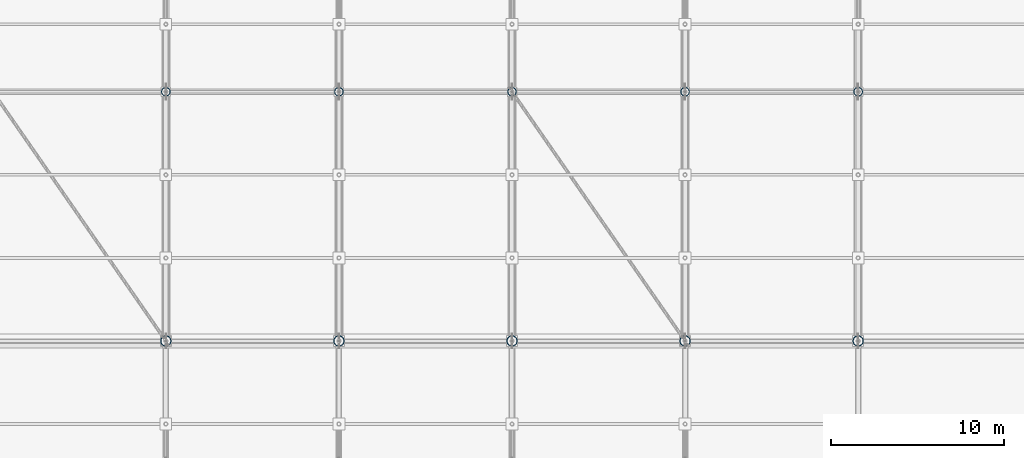
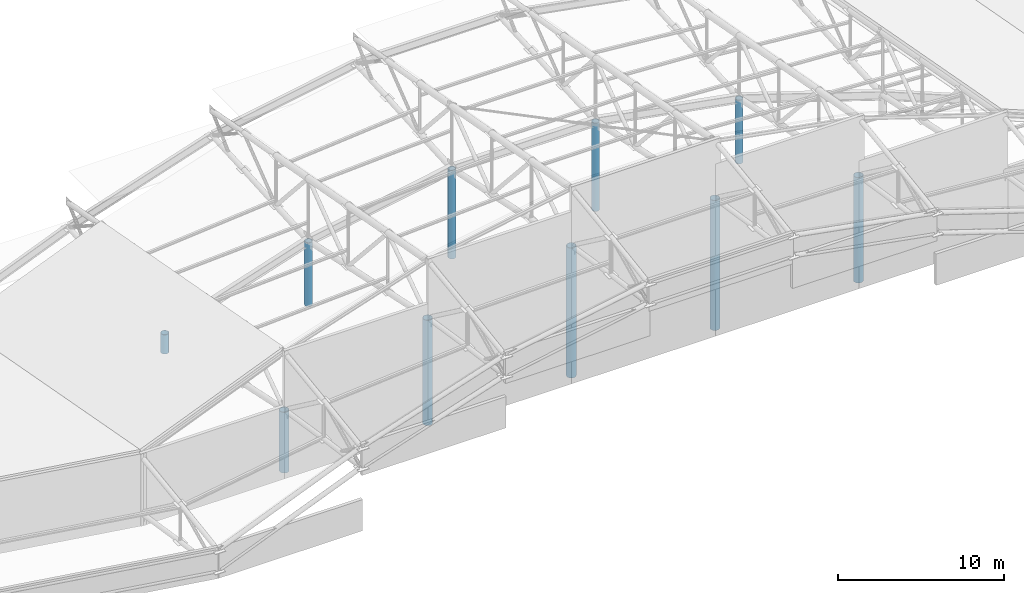
# One storey, part 1 of 146: 10 columns.
"""IFC4 building model written with IfcOpenShell, lengths in metres."""

import ifcopenshell
import ifcopenshell.guid

model = None  # the IFC model being written
_history = None  # IfcOwnerHistory: only IFC2X3 demands one
_inside = {}  # id of a spatial element -> (the spatial element, [elements in it])
_under = {}  # id of a project, library or spatial element -> (it, [spatial elements below it])
_declared = {}  # id of a project -> (the project, [libraries it declares])
_typed = {}  # id of a type object -> (the type object, [elements of that type])
_made_of = {}  # id of a material, layer set ... -> (it, [elements and type objects made of it])


def new_model(schema):
    """Start an empty IFC model of exactly this schema.

    Asked for "IFC4X3", IfcOpenShell would pick the latest addendum, in which some entities
    have other attributes; the version numbers below select the first issue.
    IFC2X3 requires an IfcOwnerHistory on every rooted entity: one is made here for all.
    """
    global model, _history
    if schema == "IFC4X3":
        model = ifcopenshell.file(schema_version=(4, 3, 0, 0))
    else:
        model = ifcopenshell.file(schema=schema)
    _inside.clear()
    _under.clear()
    _declared.clear()
    _typed.clear()
    _made_of.clear()
    _history = None
    if model.schema == "IFC2X3":
        org = make("IfcOrganization", Name="unknown")
        user = make(
            "IfcPersonAndOrganization",
            ThePerson=make("IfcPerson", FamilyName="unknown"),
            TheOrganization=org,
        )
        app = make(
            "IfcApplication",
            ApplicationDeveloper=org,
            Version="unknown",
            ApplicationFullName="unknown",
            ApplicationIdentifier="unknown",
        )
        _history = make(
            "IfcOwnerHistory",
            OwningUser=user,
            OwningApplication=app,
            ChangeAction="ADDED",
            CreationDate=0,
        )
    return model


def make(cls, **values):
    """One entity of the class cls with the attributes given. An attribute that is None is left unset."""
    return model.create_entity(
        cls, **{name: value for name, value in values.items() if value is not None}
    )


def rooted(cls, **values):
    """An entity with a GlobalId (a new one), such as an element, a storey or a relation."""
    return make(cls, GlobalId=ifcopenshell.guid.new(), OwnerHistory=_history, **values)


def si_unit(unit_type, name, prefix=None):
    """IfcSIUnit, for example si_unit("LENGTHUNIT", "METRE", prefix="MILLI")."""
    return make("IfcSIUnit", UnitType=unit_type, Prefix=prefix, Name=name)


def assignment(units):
    """IfcUnitAssignment: the units of a project."""
    return None if units is None else make("IfcUnitAssignment", Units=units)


def point(xyz):
    """IfcCartesianPoint."""
    return None if xyz is None else make("IfcCartesianPoint", Coordinates=xyz)


def direction(xyz):
    """IfcDirection."""
    return None if xyz is None else make("IfcDirection", DirectionRatios=xyz)


def frame(location, z_axis=None, x_axis=None):
    """IfcAxis2Placement3D, a coordinate frame: its origin and axes. An axis left out is left unset."""
    return make(
        "IfcAxis2Placement3D",
        Location=point(location),
        Axis=direction(z_axis),
        RefDirection=direction(x_axis),
    )


def frame_2d(location, x_axis=None):
    """IfcAxis2Placement2D, a coordinate frame in the plane: its origin and x axis."""
    return make(
        "IfcAxis2Placement2D", Location=point(location), RefDirection=direction(x_axis)
    )


def origin():
    """The frame at (0, 0, 0) with its axes left unset."""
    return frame((0.0, 0.0, 0.0))


def origin_2d():
    """The frame at (0, 0) in the plane with its x axis left unset."""
    return frame_2d((0.0, 0.0))


def place(relative_to, where):
    """IfcLocalPlacement: puts the frame where relative to a parent placement (None: the world)."""
    return make(
        "IfcLocalPlacement", PlacementRelTo=relative_to, RelativePlacement=where
    )


def context(
    kind, dimensions, precision=None, world=None, true_north=None, identifier=None
):
    """IfcGeometricRepresentationContext, for example the 3D "Model" context."""
    return make(
        "IfcGeometricRepresentationContext",
        ContextIdentifier=identifier,
        ContextType=kind,
        CoordinateSpaceDimension=dimensions,
        Precision=precision,
        WorldCoordinateSystem=world,
        TrueNorth=true_north,
    )


def subcontext(parent, identifier, kind, view, scale=None):
    """IfcGeometricRepresentationSubContext, for example "Body" below "Model"."""
    return make(
        "IfcGeometricRepresentationSubContext",
        ContextIdentifier=identifier,
        ContextType=kind,
        ParentContext=parent,
        TargetScale=scale,
        TargetView=view,
    )


def project(units=None, contexts=None):
    """IfcProject with its units and contexts."""
    return rooted(
        "IfcProject",
        Name="project",
        RepresentationContexts=contexts,
        UnitsInContext=assignment(units),
    )


def spatial(cls, under=None, at=None, **own):
    """A site, building, storey or space (cls), placed at a placement, below another one or the project."""
    s = rooted(cls, ObjectPlacement=at, **own)
    if under is not None:
        _under.setdefault(under.id(), (under, []))[1].append(s)
    return s


def profile(cls, at=None, kind="AREA", **sizes):
    """A parametric profile (cls). Its sizes go by their IFC names, for example OverallWidth=200.0."""
    return make(cls, ProfileType=kind, Position=at, **sizes)


def hollow_circle(**sizes):
    """IfcCircleHollowProfileDef."""
    return profile("IfcCircleHollowProfileDef", **sizes)


def extrude(swept, where, along, depth):
    """IfcExtrudedAreaSolid: the profile swept, set in the frame where, extruded along a direction by depth."""
    return make(
        "IfcExtrudedAreaSolid",
        SweptArea=swept,
        Position=where,
        ExtrudedDirection=direction(along),
        Depth=depth,
    )


def shape(context_of_items, identifier, shape_type, items):
    """IfcShapeRepresentation: the items that make up one representation, for example the "Body"."""
    return make(
        "IfcShapeRepresentation",
        ContextOfItems=context_of_items,
        RepresentationIdentifier=identifier,
        RepresentationType=shape_type,
        Items=items,
    )


def material(Name=None, Category=None):
    """IfcMaterial."""
    return make("IfcMaterial", Name=Name, Category=Category)


def material_profile(
    of_material, cross_section, Name=None, Category=None, Priority=None
):
    """IfcMaterialProfile: a cross section and its material."""
    return make(
        "IfcMaterialProfile",
        Name=Name,
        Material=of_material,
        Profile=cross_section,
        Priority=Priority,
        Category=Category,
    )


def profile_set(profiles, Name=None, composite=None):
    """IfcMaterialProfileSet."""
    return make(
        "IfcMaterialProfileSet",
        Name=Name,
        MaterialProfiles=profiles,
        CompositeProfile=composite,
    )


def made_of(thing, what):
    """Note that an element or type object is made of a material, layer set ...; save() writes the relation."""
    if what is not None:
        _made_of.setdefault(what.id(), (what, []))[1].append(thing)
    return thing


def type_object(cls, material=None, **own):
    """A type object (cls), such as IfcWallType, which elements share."""
    return made_of(rooted(cls, **own), material)


def element(
    cls,
    number,
    at=None,
    inside=None,
    cuts=None,
    type_object=None,
    material=None,
    context=None,
    identifier="Body",
    shape_type=None,
    held_by="IfcProductDefinitionShape",
    body=None,
    shapes=None,
    **own,
):
    """One element of the class cls, such as IfcWall. Its Tag is "e" and its number.

    at: its placement. inside: the storey or other place that contains it. cuts: it is an
    opening in that element (IfcRelVoidsElement). A single representation is given by context,
    identifier, shape_type and body (its items); several are given by shapes. held_by: the class
    of the entity that holds the representations. save() writes the other relations.
    """
    e = rooted(cls, Tag="e%d" % number, ObjectPlacement=at, **own)
    if body is not None:
        shapes = [shape(context, identifier, shape_type, body)]
    if shapes is not None:
        e.Representation = make(held_by, Representations=shapes)
    if inside is not None:
        _inside.setdefault(inside.id(), (inside, []))[1].append(e)
    if cuts is not None:
        rooted(
            "IfcRelVoidsElement", RelatingBuildingElement=cuts, RelatedOpeningElement=e
        )
    if type_object is not None:
        _typed.setdefault(type_object.id(), (type_object, []))[1].append(e)
    return made_of(e, material)


def aggregate(whole, parts):
    """IfcRelAggregates: a whole, such as a stair, and the parts it consists of."""
    return rooted("IfcRelAggregates", RelatingObject=whole, RelatedObjects=parts)


def save(model, path):
    """Write the relations noted so far, then the file.

    IfcRelAggregates (storeys below a building ...), IfcRelContainedInSpatialStructure (elements
    in a storey), IfcRelDefinesByType, IfcRelAssociatesMaterial and IfcRelDeclares: one each for
    every whole, place, type object, material and project.
    """
    for whole, parts in _under.values():
        aggregate(whole, parts)
    for where, things in _inside.values():
        rooted(
            "IfcRelContainedInSpatialStructure",
            RelatedElements=things,
            RelatingStructure=where,
        )
    for kind, things in _typed.values():
        rooted("IfcRelDefinesByType", RelatedObjects=things, RelatingType=kind)
    for what, things in _made_of.values():
        rooted("IfcRelAssociatesMaterial", RelatedObjects=things, RelatingMaterial=what)
    for by, libraries in _declared.values():
        rooted("IfcRelDeclares", RelatingContext=by, RelatedDefinitions=libraries)
    model.write(path)


model = new_model("IFC4")

# Units and contexts
model_context = context("Model", 3, precision=1e-05, world=origin(), true_north=direction((0.0, 1.0)))
body_context = subcontext(model_context, "Body", "Model", "MODEL_VIEW")
ifc_project = project(units=[si_unit("LENGTHUNIT", "METRE"), si_unit("AREAUNIT", "SQUARE_METRE"), si_unit("VOLUMEUNIT", "CUBIC_METRE"), si_unit("PLANEANGLEUNIT", "RADIAN"), si_unit("MASSUNIT", "GRAM", prefix="KILO")], contexts=[model_context])

# Site, building, storey
site_placement = place(None, origin())
site = spatial("IfcSite", under=ifc_project, at=site_placement, CompositionType="ELEMENT")
building_placement = place(site_placement, origin())
building = spatial("IfcBuilding", under=site, at=building_placement, Name="Candeia Ridge Stadium", CompositionType="ELEMENT")
storey_placement = place(building_placement, frame((0.0, 0.0, 31.800048828125)))
storey = spatial("IfcBuildingStorey", under=building, at=storey_placement, Name="RF", CompositionType="ELEMENT", Elevation=31.800048828125)

# Columns
ifc_material = material(Name="Steel ASTM A572 Grade 50", Category="steel")
ifc_material_profile_1 = material_profile(ifc_material, hollow_circle(Radius=0.25390625, WallThickness=0.02197265625, at=origin_2d()), Name="CHS508x22", Category="steel")
ifc_profile_set_1 = profile_set([ifc_material_profile_1], Name="Steel ASTM A572 Grade 50")
column_type_1 = type_object("IfcColumnType", Name="Roof Inner Mast CHS508x22", PredefinedType="PILASTER", material=ifc_profile_set_1)
column_1_placement = place(storey_placement, frame((81.0, 33.39990234375, 0.0), z_axis=(0.0, 0.0, 1.0), x_axis=(1.0, 0.0, 0.0)))
element("IfcColumn", 1, at=column_1_placement, inside=storey, type_object=column_type_1, Name="Roof truss steel mast column BC-MD-19 RF", PredefinedType="PILASTER", context=body_context, shape_type="SweptSolid", body=[
    extrude(hollow_circle(Radius=0.25390625, WallThickness=0.02197265625, at=origin_2d()), origin(), (0.0, 0.0, 1.0), 1.41455078125),
])
column_2_placement = place(storey_placement, frame((91.0, 33.39990234375, 0.0), z_axis=(0.0, 0.0, 1.0), x_axis=(1.0, 0.0, 0.0)))
element("IfcColumn", 2, at=column_2_placement, inside=storey, type_object=column_type_1, Name="Roof truss steel mast column BC-MD-20 RF", PredefinedType="PILASTER", context=body_context, shape_type="SweptSolid", body=[
    extrude(hollow_circle(Radius=0.25390625, WallThickness=0.02197265625, at=origin_2d()), origin(), (0.0, 0.0, 1.0), 4.68505859375),
])
for number, where, z_axis, x_axis, name in (
    (3, (101.0, 33.39990234375, 0.0), (0.0, 0.0, 1.0), (1.0, 0.0, 0.0), "Roof truss steel mast column BC-MD-21 RF"),
    (4, (111.0, 33.39990234375, 0.0), (0.0, 0.0, 1.0), (1.0, 0.0, 0.0), "Roof truss steel mast column BC-MD-22 RF"),
):
    element("IfcColumn", number, at=place(storey_placement, frame(where, z_axis=z_axis, x_axis=x_axis)), inside=storey, type_object=column_type_1, Name=name, PredefinedType="PILASTER", context=body_context, shape_type="SweptSolid", body=[
        extrude(hollow_circle(Radius=0.25390625, WallThickness=0.02197265625, at=origin_2d()), origin(), (0.0, 0.0, 1.0), 6.500244140625),
    ])
column_3_placement = place(storey_placement, frame((121.0, 33.39990234375, 0.0), z_axis=(0.0, 0.0, 1.0), x_axis=(1.0, 0.0, 0.0)))
element("IfcColumn", 5, at=column_3_placement, inside=storey, type_object=column_type_1, Name="Roof truss steel mast column BC-MD-23 RF", PredefinedType="PILASTER", context=body_context, shape_type="SweptSolid", body=[
    extrude(hollow_circle(Radius=0.25390625, WallThickness=0.02197265625, at=origin_2d()), origin(), (0.0, 0.0, 1.0), 4.68505859375),
])
ifc_material_profile_2 = material_profile(ifc_material, hollow_circle(Radius=0.304931640625, WallThickness=0.02490234375, at=origin_2d()), Name="CHS610x25", Category="steel")
ifc_profile_set_2 = profile_set([ifc_material_profile_2], Name="Steel ASTM A572 Grade 50")
column_type_2 = type_object("IfcColumnType", Name="Roof Mast Column CHS610x25", PredefinedType="PILASTER", material=ifc_profile_set_2)
column_4_placement = place(storey_placement, frame((81.0, 19.0, 0.0), z_axis=(0.0, 0.0, 1.0), x_axis=(1.0, 0.0, 0.0)))
element("IfcColumn", 6, at=column_4_placement, inside=storey, type_object=column_type_2, Name="Roof truss steel mast column BC-OU-19 RF", PredefinedType="PILASTER", context=body_context, shape_type="SweptSolid", body=[
    extrude(hollow_circle(Radius=0.304931640625, WallThickness=0.02490234375, at=origin_2d()), origin(), (0.0, 0.0, 1.0), 4.478515625),
])
column_5_placement = place(storey_placement, frame((91.0, 19.0, 0.0), z_axis=(0.0, 0.0, 1.0), x_axis=(1.0, 0.0, 0.0)))
element("IfcColumn", 7, at=column_5_placement, inside=storey, type_object=column_type_2, Name="Roof truss steel mast column BC-OU-20 RF", PredefinedType="PILASTER", context=body_context, shape_type="SweptSolid", body=[
    extrude(hollow_circle(Radius=0.304931640625, WallThickness=0.02490234375, at=origin_2d()), origin(), (0.0, 0.0, 1.0), 7.749267578125),
])
for number, where, z_axis, x_axis, name in (
    (8, (101.0, 19.0, 0.0), (0.0, 0.0, 1.0), (1.0, 0.0, 0.0), "Roof truss steel mast column BC-OU-21 RF"),
    (9, (111.0, 19.0, 0.0), (0.0, 0.0, 1.0), (1.0, 0.0, 0.0), "Roof truss steel mast column BC-OU-22 RF"),
):
    element("IfcColumn", number, at=place(storey_placement, frame(where, z_axis=z_axis, x_axis=x_axis)), inside=storey, type_object=column_type_2, Name=name, PredefinedType="PILASTER", context=body_context, shape_type="SweptSolid", body=[
        extrude(hollow_circle(Radius=0.304931640625, WallThickness=0.02490234375, at=origin_2d()), origin(), (0.0, 0.0, 1.0), 9.564208984375),
    ])
column_6_placement = place(storey_placement, frame((121.0, 19.0, 0.0), z_axis=(0.0, 0.0, 1.0), x_axis=(1.0, 0.0, 0.0)))
element("IfcColumn", 10, at=column_6_placement, inside=storey, type_object=column_type_2, Name="Roof truss steel mast column BC-OU-23 RF", PredefinedType="PILASTER", context=body_context, shape_type="SweptSolid", body=[
    extrude(hollow_circle(Radius=0.304931640625, WallThickness=0.02490234375, at=origin_2d()), origin(), (0.0, 0.0, 1.0), 7.749267578125),
])

save(model, "model.ifc")
